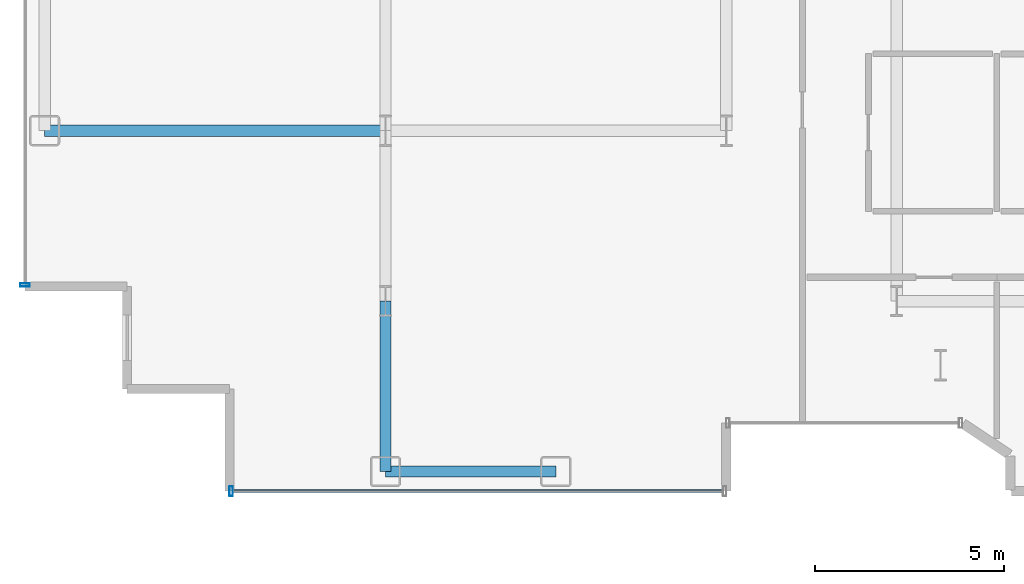
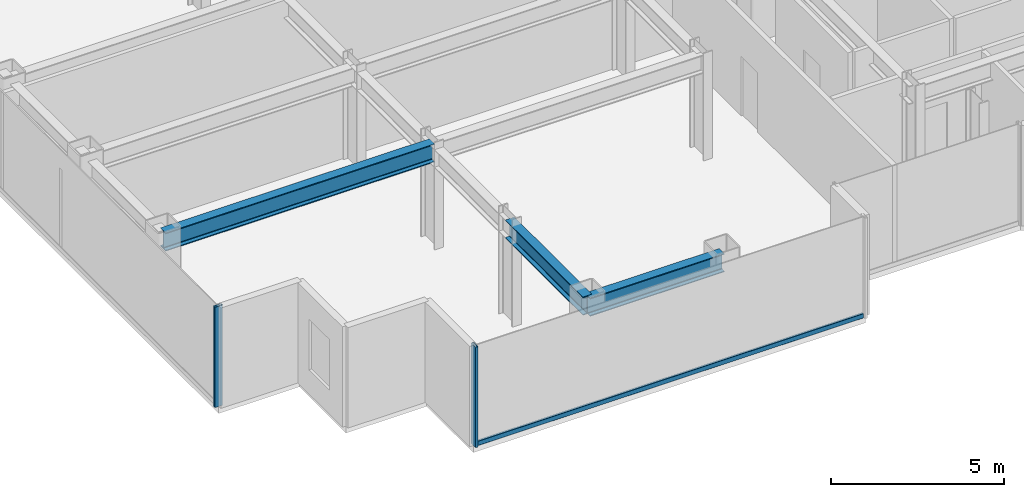
# One storey, part 3 of 23: 3 beams, 3 members, 2 elements without a shape of their own.
"""IFC4 building model written with IfcOpenShell, lengths in metres."""

from ifc_helpers import new_model, si_unit, direction, frame, origin, origin_2d, place, context, subcontext, project, spatial, hollow_rectangle, i_section, extrude, source, transform, mapped, material, layer, layer_set, material_profile, profile_set, type_object, element, aggregate, save


model = new_model("IFC4")

# Units and contexts
model_context = context("Model", 3, precision=1e-05, world=origin(), true_north=direction((0.0, 1.0)))
body_context = subcontext(model_context, "Body", "Model", "MODEL_VIEW")
ifc_project = project(units=[si_unit("LENGTHUNIT", "METRE"), si_unit("AREAUNIT", "SQUARE_METRE"), si_unit("VOLUMEUNIT", "CUBIC_METRE"), si_unit("PLANEANGLEUNIT", "RADIAN"), si_unit("MASSUNIT", "GRAM", prefix="KILO")], contexts=[model_context])

# Site, building, storey
site_placement = place(None, origin())
site = spatial("IfcSite", under=ifc_project, at=site_placement, CompositionType="ELEMENT")
building_placement = place(site_placement, origin())
building = spatial("IfcBuilding", under=site, at=building_placement, Name="Nefas-Gora Pilgrimage Tower", CompositionType="ELEMENT")
storey_placement = place(building_placement, frame((0.0, 0.0, 167.800048828125)))
storey = spatial("IfcBuildingStorey", under=building, at=storey_placement, Name="L41", CompositionType="ELEMENT", Elevation=167.800048828125)

# Beams
ifc_material_1 = material(Name="Steel S355", Category="steel")
ifc_material_profile_1 = material_profile(ifc_material_1, i_section(OverallWidth=0.300048828125, OverallDepth=0.64990234375, WebThickness=0.01611328125, FlangeThickness=0.031005859375, FilletRadius=0.027099609375, at=origin_2d()), Name="HEB 650")
ifc_profile_set_1 = profile_set([ifc_material_profile_1], Name="Steel S355")
beam_type_1 = type_object("IfcBeamType", Name="BM-SPN-HEB500", PredefinedType="SPANDREL", material=ifc_profile_set_1)
shared_shape_1 = source(origin(), body_context, "Body", "SweptSolid", [
    extrude(i_section(OverallWidth=0.300048828125, OverallDepth=0.64990234375, WebThickness=0.01611328125, FlangeThickness=0.031005859375, FilletRadius=0.027099609375, at=origin_2d()), origin(), (0.0, 0.0, 1.0), 4.5),
])
beam_1_placement = place(storey_placement, frame((-24.75, -22.5, 3.224853515625), z_axis=(1.0, 0.0, 0.0), x_axis=(0.0, 1.0, 0.0)))
element("IfcBeam", 1, at=beam_1_placement, inside=storey, type_object=beam_type_1, Name="L41 SP-02 beam", PredefinedType="SPANDREL", context=body_context, shape_type="MappedRepresentation", body=[
    mapped(shared_shape_1, transform((0.0, 0.0, 0.0), x_axis=(1.0, 0.0, 0.0), y_axis=(0.0, 1.0, 0.0), z_axis=(0.0, 0.0, 1.0), scale=1.0)),
])
ifc_material_profile_2 = material_profile(ifc_material_1, i_section(OverallWidth=0.300048828125, OverallDepth=0.64990234375, WebThickness=0.01611328125, FlangeThickness=0.031005859375, FilletRadius=0.027099609375, at=origin_2d()), Name="HEB 650")
ifc_profile_set_2 = profile_set([ifc_material_profile_2], Name="Steel S355")
beam_type_2 = type_object("IfcBeamType", Name="BM-GIR-HEB650", PredefinedType="BEAM", material=ifc_profile_set_2)
shared_shape_2 = source(origin(), body_context, "Body", "SweptSolid", [
    extrude(i_section(OverallWidth=0.300048828125, OverallDepth=0.64990234375, WebThickness=0.01611328125, FlangeThickness=0.031005859375, FilletRadius=0.027099609375, at=origin_2d()), origin(), (0.0, 0.0, 1.0), 9.0),
])
beam_2_placement = place(storey_placement, frame((-33.75, -13.5, 3.224853515625), z_axis=(1.0, 0.0, 0.0), x_axis=(0.0, 1.0, 0.0)))
element("IfcBeam", 2, at=beam_2_placement, inside=storey, type_object=beam_type_2, Name="L41 G-03 beam", PredefinedType="BEAM", context=body_context, shape_type="MappedRepresentation", body=[
    mapped(shared_shape_2, transform((0.0, 0.0, 0.0), x_axis=(1.0, 0.0, 0.0), y_axis=(0.0, 1.0, 0.0), z_axis=(0.0, 0.0, 1.0), scale=1.0)),
])
shared_shape_3 = source(origin(), body_context, "Body", "SweptSolid", [
    extrude(i_section(OverallWidth=0.300048828125, OverallDepth=0.64990234375, WebThickness=0.01611328125, FlangeThickness=0.031005859375, FilletRadius=0.027099609375, at=origin_2d()), origin(), (0.0, 0.0, 1.0), 4.5),
])
beam_3_placement = place(storey_placement, frame((-24.75, -22.5, 3.224853515625), z_axis=(0.0, 1.0, 0.0), x_axis=(-1.0, 0.0, 0.0)))
element("IfcBeam", 3, at=beam_3_placement, inside=storey, type_object=beam_type_2, Name="L41 G-03 beam", PredefinedType="BEAM", context=body_context, shape_type="MappedRepresentation", body=[
    mapped(shared_shape_3, transform((0.0, 0.0, 0.0), x_axis=(1.0, 0.0, 0.0), y_axis=(0.0, 1.0, 0.0), z_axis=(0.0, 0.0, 1.0), scale=1.0)),
])

# Curtain wall, member
ifc_material_2 = material(Name="Dark ceramic-fritted solar-control aluminium-glass curtain wall", Category="aluminium")
ifc_layer = layer(ifc_material_2, 0.219970703125)
ifc_layer_set = layer_set([ifc_layer], Name="Dark ceramic-fritted solar-control aluminium-glass curtain wall")
curtain_wall_type = type_object("IfcCurtainWallType", Name="CW-SYS-3", PredefinedType="NOTDEFINED", material=ifc_layer_set)
curtain_wall_1_placement = place(storey_placement, origin())
curtain_wall_1 = element("IfcCurtainWall", 4, at=curtain_wall_1_placement, inside=storey, type_object=curtain_wall_type, Name="L41 Unitised Curtain Wall CW3", PredefinedType="NOTDEFINED")
ifc_material_3 = material(Name="Anodised architectural aluminium", Category="aluminium")
ifc_material_profile_3 = material_profile(ifc_material_3, hollow_rectangle(XDim=0.090087890625, YDim=0.260009765625, WallThickness=0.006103515625, InnerFilletRadius=0.006103515625, OuterFilletRadius=0.011962890625, at=origin_2d()), Name="ALU MULLION 90x260")
ifc_profile_set_3 = profile_set([ifc_material_profile_3], Name="Anodised architectural aluminium")
member_type_1 = type_object("IfcMemberType", Name="CWM-MUL-3", PredefinedType="MULLION", material=ifc_profile_set_3)
shared_shape_4 = source(origin(), body_context, "Body", "SweptSolid", [
    extrude(hollow_rectangle(XDim=0.090087890625, YDim=0.260009765625, WallThickness=0.006103515625, InnerFilletRadius=0.006103515625, OuterFilletRadius=0.011962890625, at=origin_2d()), origin(), (0.0, 0.0, 1.0), 3.550048828125),
])
member_1_placement = place(storey_placement, frame((-34.27001953125, -17.574951171875, 0.0), z_axis=(0.0, 0.0, 1.0), x_axis=(0.0, -1.0, 0.0)))
member_1 = element("IfcMember", 5, at=member_1_placement, type_object=member_type_1, Name="CW3 Mullion 2", PredefinedType="MULLION", context=body_context, shape_type="MappedRepresentation", body=[
    mapped(shared_shape_4, transform((0.0, 0.0, 0.0), x_axis=(1.0, 0.0, 0.0), y_axis=(0.0, 1.0, 0.0), z_axis=(0.0, 0.0, 1.0), scale=1.0)),
])
aggregate(curtain_wall_1, [member_1])

# Curtain wall, members
curtain_wall_2_placement = place(storey_placement, origin())
curtain_wall_2 = element("IfcCurtainWall", 6, at=curtain_wall_2_placement, inside=storey, type_object=curtain_wall_type, Name="L41 Unitised Curtain Wall CW3", PredefinedType="NOTDEFINED")
member_2_placement = place(storey_placement, frame((-28.824951171875, -23.02001953125, 0.0), z_axis=(0.0, 0.0, 1.0), x_axis=(1.0, 0.0, 0.0)))
member_2 = element("IfcMember", 7, at=member_2_placement, type_object=member_type_1, Name="CW3 Mullion 1", PredefinedType="MULLION", context=body_context, shape_type="MappedRepresentation", body=[
    mapped(shared_shape_4, transform((0.0, 0.0, 0.0), x_axis=(1.0, 0.0, 0.0), y_axis=(0.0, 1.0, 0.0), z_axis=(0.0, 0.0, 1.0), scale=1.0)),
])
ifc_material_profile_4 = material_profile(ifc_material_3, hollow_rectangle(XDim=0.080078125, YDim=0.159912109375, WallThickness=0.00439453125, InnerFilletRadius=0.00439453125, OuterFilletRadius=0.009033203125, at=origin_2d()), Name="ALU TRANSOM 80x160")
ifc_profile_set_4 = profile_set([ifc_material_profile_4], Name="Anodised architectural aluminium")
member_type_2 = type_object("IfcMemberType", Name="CWM-TRN-3", PredefinedType="USERDEFINED", material=ifc_profile_set_4)
shared_shape_5 = source(origin(), body_context, "Body", "SweptSolid", [
    extrude(hollow_rectangle(XDim=0.080078125, YDim=0.159912109375, WallThickness=0.00439453125, InnerFilletRadius=0.00439453125, OuterFilletRadius=0.009033203125, at=origin_2d()), origin(), (0.0, 0.0, 1.0), 12.93994140625),
])
member_3_placement = place(storey_placement, frame((-28.780029296875, -23.02001953125, 0.050048828125), z_axis=(1.0, 0.0, 0.0), x_axis=(0.0, 1.0, 0.0)))
member_3 = element("IfcMember", 8, at=member_3_placement, type_object=member_type_2, Name="CW3 Spandrel Transom", ObjectType="TRANSOM", PredefinedType="USERDEFINED", context=body_context, shape_type="MappedRepresentation", body=[
    mapped(shared_shape_5, transform((0.0, 0.0, 0.0), x_axis=(1.0, 0.0, 0.0), y_axis=(0.0, 1.0, 0.0), z_axis=(0.0, 0.0, 1.0), scale=1.0)),
])
aggregate(curtain_wall_2, [member_2, member_3])

save(model, "model.ifc")
